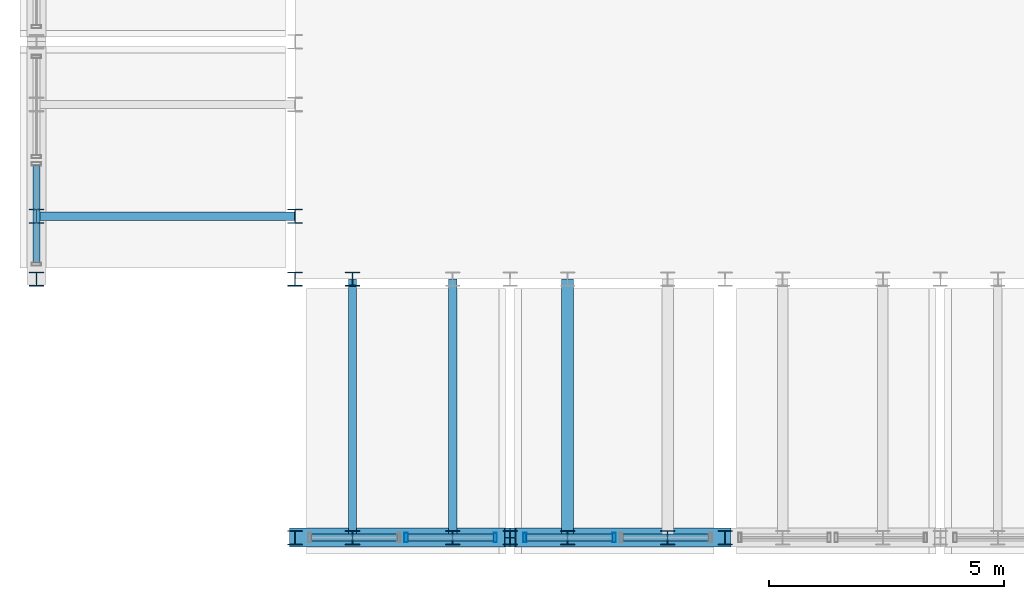
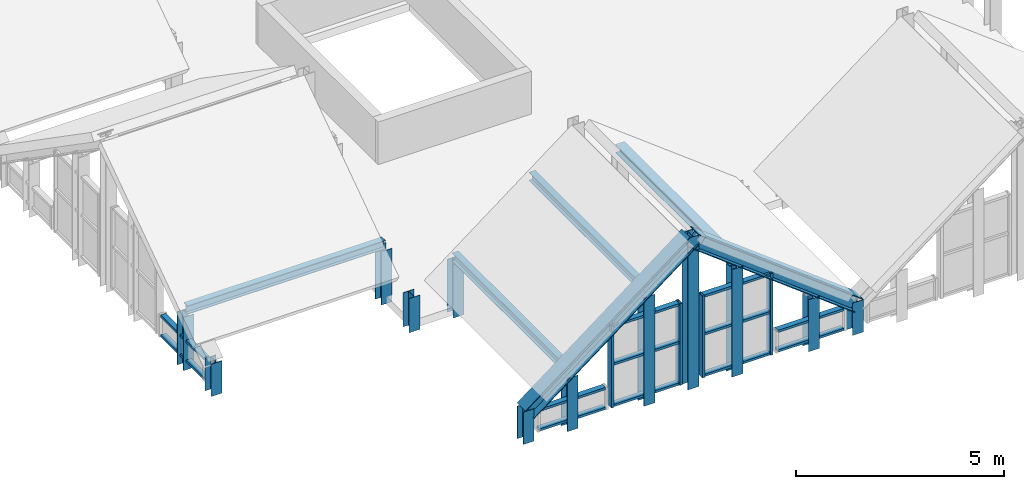
# One storey, part 1 of 21: 34 members, 5 elements without a shape of their own.
"""IFC4 building model written with IfcOpenShell, lengths in metres."""

from ifc_helpers import new_model, si_unit, direction, frame, origin, origin_2d, place, context, subcontext, project, spatial, hollow_rectangle, i_section, extrude, source, transform, mapped, material, layer, layer_set, material_profile, profile_set, type_object, element, aggregate, save


model = new_model("IFC4")

# Units and contexts
model_context = context("Model", 3, precision=1e-05, world=origin(), true_north=direction((0.0, 1.0)))
body_context = subcontext(model_context, "Body", "Model", "MODEL_VIEW")
ifc_project = project(units=[si_unit("LENGTHUNIT", "METRE"), si_unit("AREAUNIT", "SQUARE_METRE"), si_unit("VOLUMEUNIT", "CUBIC_METRE"), si_unit("PLANEANGLEUNIT", "RADIAN"), si_unit("MASSUNIT", "GRAM", prefix="KILO")], contexts=[model_context])

# Site, building, storey
site_placement = place(None, origin())
site = spatial("IfcSite", under=ifc_project, at=site_placement, CompositionType="ELEMENT")
building_placement = place(site_placement, origin())
building = spatial("IfcBuilding", under=site, at=building_placement, Name="Saelheon Loggia Tower", CompositionType="ELEMENT")
storey_placement = place(building_placement, frame((0.0, 0.0, 275.0)))
storey = spatial("IfcBuildingStorey", under=building, at=storey_placement, Name="ROOF", CompositionType="ELEMENT", Elevation=275.0)

# Members
ifc_material_1 = material(Name="Steel SM355", Category="steel")
ifc_material_profile_1 = material_profile(ifc_material_1, i_section(OverallWidth=0.300048828125, OverallDepth=0.300048828125, WebThickness=0.010009765625, FlangeThickness=0.014892578125, at=origin_2d()), Name="H-300x300x10x15")
ifc_profile_set_1 = profile_set([ifc_material_profile_1], Name="Steel SM355")
member_type_1 = type_object("IfcMemberType", Name="WaveCrest_Post_H300", PredefinedType="POST", material=ifc_profile_set_1)
shared_shape_1 = source(origin(), body_context, "Body", "SweptSolid", [
    extrude(i_section(OverallWidth=0.300048828125, OverallDepth=0.300048828125, WebThickness=0.010009765625, FlangeThickness=0.014892578125, at=origin_2d()), origin(), (0.0, 0.0, 1.0), 0.949951171875),
])
for number, where, z_axis, x_axis, name in (
    (1, (23.35009765625, 11.85009765625, -0.14990234375), (0.0, 0.0, 1.0), (1.0, 0.0, 0.0), "ROOF Wave Crest Outer Post W 00"),
    (2, (28.85009765625, 6.35009765625, -0.14990234375), (0.0, 0.0, 1.0), (1.0, 0.0, 0.0), "ROOF Wave Crest Outer Post S 00"),
    (3, (38.0, 6.35009765625, -0.14990234375), (0.0, 0.0, 1.0), (1.0, 0.0, 0.0), "ROOF Wave Crest Outer Post S 02"),
):
    element("IfcMember", number, at=place(storey_placement, frame(where, z_axis=z_axis, x_axis=x_axis)), inside=storey, type_object=member_type_1, Name=name, PredefinedType="POST", context=body_context, shape_type="MappedRepresentation", body=[
        mapped(shared_shape_1, transform((0.0, 0.0, 0.0), scale=1.0)),
    ])
ifc_material_profile_2 = material_profile(ifc_material_1, i_section(OverallWidth=0.300048828125, OverallDepth=0.300048828125, WebThickness=0.010009765625, FlangeThickness=0.014892578125, at=origin_2d()), Name="H-300x300x10x15")
ifc_profile_set_2 = profile_set([ifc_material_profile_2], Name="Steel SM355")
member_type_2 = type_object("IfcMemberType", Name="Belt_Post_H300", PredefinedType="POST", material=ifc_profile_set_2)
shared_shape_2 = source(origin(), body_context, "Body", "SweptSolid", [
    extrude(i_section(OverallWidth=0.300048828125, OverallDepth=0.300048828125, WebThickness=0.010009765625, FlangeThickness=0.014892578125, at=origin_2d()), origin(), (0.0, 0.0, 1.0), 1.0),
])
member_1_placement = place(storey_placement, frame((28.85009765625, 11.85009765625, -0.199951171875), z_axis=(0.0, 0.0, 1.0), x_axis=(1.0, 0.0, 0.0)))
element("IfcMember", 4, at=member_1_placement, inside=storey, type_object=member_type_2, Name="ROOF Wave Crest Inner Post W 00", PredefinedType="POST", context=body_context, shape_type="MappedRepresentation", body=[
    mapped(shared_shape_2, transform((0.0, 0.0, 0.0), scale=1.0)),
])
shared_shape_3 = source(origin(), body_context, "Body", "SweptSolid", [
    extrude(i_section(OverallWidth=0.300048828125, OverallDepth=0.300048828125, WebThickness=0.010009765625, FlangeThickness=0.014892578125, at=origin_2d()), origin(), (0.0, 0.0, 1.0), 4.449951171875),
])
member_2_placement = place(storey_placement, frame((33.425048828125, 6.35009765625, -0.14990234375), z_axis=(0.0, 0.0, 1.0), x_axis=(1.0, 0.0, 0.0)))
element("IfcMember", 5, at=member_2_placement, inside=storey, type_object=member_type_1, Name="ROOF Wave Crest Outer Post S 01", PredefinedType="POST", context=body_context, shape_type="MappedRepresentation", body=[
    mapped(shared_shape_3, transform((0.0, 0.0, 0.0), scale=1.0)),
])
ifc_material_profile_3 = material_profile(ifc_material_1, i_section(OverallWidth=0.179931640625, OverallDepth=0.25, WebThickness=0.010009765625, FlangeThickness=0.01611328125, at=origin_2d()), Name="H-250x180x10x16")
ifc_profile_set_3 = profile_set([ifc_material_profile_3], Name="Steel SM355")
member_type_3 = type_object("IfcMemberType", Name="Roof_Purlin_RHS250", PredefinedType="PURLIN", material=ifc_profile_set_3)
shared_shape_4 = source(origin(), body_context, "Body", "SweptSolid", [
    extrude(i_section(OverallWidth=0.179931640625, OverallDepth=0.25, WebThickness=0.010009765625, FlangeThickness=0.01611328125, at=origin_2d()), origin(), (0.0, 0.0, 1.0), 5.5),
])
for number, where, z_axis, x_axis, name in (
    (6, (23.35009765625, 13.186767578125, 1.489013671875), (1.0, 0.0, 0.0), (0.0, 1.0, 0.0), "Crown Wave Roof Purlin 01 A"),
    (7, (30.07275390625, 6.35009765625, 1.4814453125), (0.0, 1.0, 0.0), (-1.0, 0.0, 0.0), "Crown Wave Roof Purlin 13 A"),
    (8, (32.2021484375, 6.35009765625, 3.110595703125), (0.0, 1.0, 0.0), (-1.0, 0.0, 0.0), "Crown Wave Roof Purlin 13 B"),
):
    element("IfcMember", number, at=place(storey_placement, frame(where, z_axis=z_axis, x_axis=x_axis)), inside=storey, type_object=member_type_3, Name=name, PredefinedType="PURLIN", context=body_context, shape_type="MappedRepresentation", body=[
        mapped(shared_shape_4, transform((0.0, 0.0, 0.0), scale=1.0)),
    ])
shared_shape_5 = source(origin(), body_context, "Body", "SweptSolid", [
    extrude(i_section(OverallWidth=0.300048828125, OverallDepth=0.300048828125, WebThickness=0.010009765625, FlangeThickness=0.014892578125, at=origin_2d()), origin(), (0.0, 0.0, 1.0), 1.56396484375),
])
for number, where, z_axis, x_axis, name in (
    (9, (23.35009765625, 13.186767578125, -0.199951171875), (0.0, 0.0, 1.0), (1.0, 0.0, 0.0), "Crown Wave Roof Purlin Support Post 01 A O"),
    (10, (28.85009765625, 13.186767578125, -0.199951171875), (0.0, 0.0, 1.0), (1.0, 0.0, 0.0), "Crown Wave Roof Purlin Support Post 01 A I"),
):
    element("IfcMember", number, at=place(storey_placement, frame(where, z_axis=z_axis, x_axis=x_axis)), inside=storey, type_object=member_type_2, Name=name, PredefinedType="POST", context=body_context, shape_type="MappedRepresentation", body=[
        mapped(shared_shape_5, transform((0.0, 0.0, 0.0), scale=1.0)),
    ])
ifc_material_profile_4 = material_profile(ifc_material_1, i_section(OverallWidth=0.25, OverallDepth=0.25, WebThickness=0.009033203125, FlangeThickness=0.013916015625, at=origin_2d()), Name="H-250x250x9x14")
ifc_profile_set_4 = profile_set([ifc_material_profile_4], Name="Steel SM355")
member_type_4 = type_object("IfcMemberType", Name="Roof_Purlin_H250", PredefinedType="PURLIN", material=ifc_profile_set_4)
shared_shape_6 = source(origin(), body_context, "Body", "SweptSolid", [
    extrude(i_section(OverallWidth=0.25, OverallDepth=0.25, WebThickness=0.009033203125, FlangeThickness=0.013916015625, at=origin_2d()), origin(), (0.0, 0.0, 1.0), 5.5),
])
member_3_placement = place(storey_placement, frame((34.647705078125, 6.35009765625, 3.083740234375), z_axis=(0.0, 1.0, 0.0), x_axis=(-1.0, 0.0, 0.0)))
element("IfcMember", 11, at=member_3_placement, inside=storey, type_object=member_type_4, Name="Crown Wave Roof Purlin 14 A", PredefinedType="PURLIN", context=body_context, shape_type="MappedRepresentation", body=[
    mapped(shared_shape_6, transform((0.0, 0.0, 0.0), scale=1.0)),
])
shared_shape_7 = source(origin(), body_context, "Body", "SweptSolid", [
    extrude(i_section(OverallWidth=0.300048828125, OverallDepth=0.300048828125, WebThickness=0.010009765625, FlangeThickness=0.014892578125, at=origin_2d()), origin(), (0.0, 0.0, 1.0), 1.556396484375),
])
for number, where, z_axis, x_axis, name in (
    (12, (30.07275390625, 6.35009765625, -0.199951171875), (0.0, 0.0, 1.0), (1.0, 0.0, 0.0), "Crown Wave Roof Purlin Support Post 13 A O"),
    (13, (30.07275390625, 11.85009765625, -0.199951171875), (0.0, 0.0, 1.0), (1.0, 0.0, 0.0), "Crown Wave Roof Purlin Support Post 13 A I"),
):
    element("IfcMember", number, at=place(storey_placement, frame(where, z_axis=z_axis, x_axis=x_axis)), inside=storey, type_object=member_type_2, Name=name, PredefinedType="POST", context=body_context, shape_type="MappedRepresentation", body=[
        mapped(shared_shape_7, transform((0.0, 0.0, 0.0), scale=1.0)),
    ])
shared_shape_8 = source(origin(), body_context, "Body", "SweptSolid", [
    extrude(i_section(OverallWidth=0.300048828125, OverallDepth=0.300048828125, WebThickness=0.010009765625, FlangeThickness=0.014892578125, at=origin_2d()), origin(), (0.0, 0.0, 1.0), 3.185546875),
])
member_4_placement = place(storey_placement, frame((32.2021484375, 6.35009765625, -0.199951171875), z_axis=(0.0, 0.0, 1.0), x_axis=(1.0, 0.0, 0.0)))
element("IfcMember", 14, at=member_4_placement, inside=storey, type_object=member_type_2, Name="Crown Wave Roof Purlin Support Post 13 B O", PredefinedType="POST", context=body_context, shape_type="MappedRepresentation", body=[
    mapped(shared_shape_8, transform((0.0, 0.0, 0.0), scale=1.0)),
])
shared_shape_9 = source(origin(), body_context, "Body", "SweptSolid", [
    extrude(i_section(OverallWidth=0.300048828125, OverallDepth=0.300048828125, WebThickness=0.010009765625, FlangeThickness=0.014892578125, at=origin_2d()), origin(), (0.0, 0.0, 1.0), 3.15869140625),
])
member_5_placement = place(storey_placement, frame((34.647705078125, 6.35009765625, -0.199951171875), z_axis=(0.0, 0.0, 1.0), x_axis=(1.0, 0.0, 0.0)))
element("IfcMember", 15, at=member_5_placement, inside=storey, type_object=member_type_2, Name="Crown Wave Roof Purlin Support Post 14 A O", PredefinedType="POST", context=body_context, shape_type="MappedRepresentation", body=[
    mapped(shared_shape_9, transform((0.0, 0.0, 0.0), scale=1.0)),
])
shared_shape_10 = source(origin(), body_context, "Body", "SweptSolid", [
    extrude(i_section(OverallWidth=0.300048828125, OverallDepth=0.300048828125, WebThickness=0.010009765625, FlangeThickness=0.014892578125, at=origin_2d()), origin(), (0.0, 0.0, 1.0), 1.529541015625),
])
member_6_placement = place(storey_placement, frame((36.777099609375, 6.35009765625, -0.199951171875), z_axis=(0.0, 0.0, 1.0), x_axis=(1.0, 0.0, 0.0)))
element("IfcMember", 16, at=member_6_placement, inside=storey, type_object=member_type_2, Name="Crown Wave Roof Purlin Support Post 14 B O", PredefinedType="POST", context=body_context, shape_type="MappedRepresentation", body=[
    mapped(shared_shape_10, transform((0.0, 0.0, 0.0), scale=1.0)),
])
ifc_material_profile_5 = material_profile(ifc_material_1, i_section(OverallWidth=0.39990234375, OverallDepth=0.39990234375, WebThickness=0.012939453125, FlangeThickness=0.02099609375, at=origin_2d()), Name="H-400x400x13x21")
ifc_profile_set_5 = profile_set([ifc_material_profile_5], Name="Steel SM355")
member_type_5 = type_object("IfcMemberType", Name="CrownFrame_Brace_H400", PredefinedType="BRACE", material=ifc_profile_set_5)
shared_shape_11 = source(origin(), body_context, "Body", "SweptSolid", [
    extrude(i_section(OverallWidth=0.39990234375, OverallDepth=0.39990234375, WebThickness=0.012939453125, FlangeThickness=0.02099609375, at=origin_2d()), origin(), (0.0, 0.0, 1.0), 5.76025390625),
])
for number, where, z_axis, x_axis, name in (
    (17, (28.85009765625, 6.35009765625, 0.699951171875), (0.794231497038, 0.0, 0.607615280513), (0.0, 1.0, 0.0), "ROOF CROWN FRAME Wave Crest Cap S 01"),
    (18, (33.425048828125, 6.35009765625, 4.199951171875), (0.794231497038, 0.0, -0.607615280513), (0.0, 1.0, 0.0), "ROOF CROWN FRAME Wave Crest Cap S 02"),
):
    element("IfcMember", number, at=place(storey_placement, frame(where, z_axis=z_axis, x_axis=x_axis)), inside=storey, type_object=member_type_5, Name=name, PredefinedType="BRACE", context=body_context, shape_type="MappedRepresentation", body=[
        mapped(shared_shape_11, transform((0.0, 0.0, 0.0), scale=1.0)),
    ])

# Curtain wall, members
ifc_material_2 = material(Name="Bronze-Anodised Aluminium and Fritted Ceramic Screen", Category="aluminium")
ifc_layer = layer(ifc_material_2, 0.219970703125)
ifc_layer_set = layer_set([ifc_layer], Name="Bronze-Anodised Aluminium and Fritted Ceramic Screen")
curtain_wall_type = type_object("IfcCurtainWallType", Name="CW_CrownScreen", PredefinedType="NOTDEFINED", material=ifc_layer_set)
curtain_wall_1_placement = place(storey_placement, origin())
curtain_wall_1 = element("IfcCurtainWall", 19, at=curtain_wall_1_placement, inside=storey, type_object=curtain_wall_type, Name="ROOF Wave Crest Curtain Wall W 01-1", PredefinedType="NOTDEFINED")
ifc_material_3 = material(Name="Bronze-Anodised Aluminium 6063-T6", Category="aluminium")
ifc_material_profile_6 = material_profile(ifc_material_3, hollow_rectangle(XDim=0.070068359375, YDim=0.14990234375, WallThickness=0.0048828125, at=origin_2d()), Name="RHS-150x70x5")
ifc_profile_set_6 = profile_set([ifc_material_profile_6], Name="Bronze-Anodised Aluminium 6063-T6")
member_type_6 = type_object("IfcMemberType", Name="CW_CrownScreen_Transom", PredefinedType="USERDEFINED", material=ifc_profile_set_6)
shared_shape_12 = source(origin(), body_context, "Body", "SweptSolid", [
    extrude(hollow_rectangle(XDim=0.070068359375, YDim=0.14990234375, WallThickness=0.0048828125, at=origin_2d()), origin(), (0.0, 0.0, 1.0), 2.06494140625),
])
member_7_placement = place(storey_placement, frame((23.35009765625, 12.199951171875, 0.054931640625), z_axis=(0.0, 1.0, 0.0), x_axis=(0.0, 0.0, 1.0)))
member_7 = element("IfcMember", 20, at=member_7_placement, type_object=member_type_6, Name="CW6 transom 1.1", ObjectType="TRANSOM", PredefinedType="USERDEFINED", context=body_context, shape_type="MappedRepresentation", body=[
    mapped(shared_shape_12, transform((0.0, 0.0, 0.0), scale=1.0)),
])
member_8_placement = place(storey_placement, frame((23.35009765625, 12.199951171875, 0.635009765625), z_axis=(0.0, 1.0, 0.0), x_axis=(0.0, 0.0, 1.0)))
member_8 = element("IfcMember", 21, at=member_8_placement, type_object=member_type_6, Name="CW6 transom 1.2", ObjectType="TRANSOM", PredefinedType="USERDEFINED", context=body_context, shape_type="MappedRepresentation", body=[
    mapped(shared_shape_12, transform((0.0, 0.0, 0.0), scale=1.0)),
])
aggregate(curtain_wall_1, [member_7, member_8])

curtain_wall_2_placement = place(storey_placement, origin())
curtain_wall_2 = element("IfcCurtainWall", 22, at=curtain_wall_2_placement, inside=storey, type_object=curtain_wall_type, Name="ROOF Wave Crest Curtain Wall S 01-2", PredefinedType="NOTDEFINED")
ifc_material_profile_7 = material_profile(ifc_material_3, hollow_rectangle(XDim=0.070068359375, YDim=0.199951171875, WallThickness=0.0048828125, at=origin_2d()), Name="RHS-200x70x5")
ifc_profile_set_7 = profile_set([ifc_material_profile_7], Name="Bronze-Anodised Aluminium 6063-T6")
member_type_7 = type_object("IfcMemberType", Name="CW_CrownScreen_Mullion", PredefinedType="MULLION", material=ifc_profile_set_7)
shared_shape_13 = source(origin(), body_context, "Body", "SweptSolid", [
    extrude(hollow_rectangle(XDim=0.070068359375, YDim=0.199951171875, WallThickness=0.0048828125, at=origin_2d()), origin(), (0.0, 0.0, 1.0), 2.39990234375),
])
member_9_placement = place(storey_placement, frame((31.21240234375, 6.35009765625, 0.02001953125), z_axis=(0.0, 0.0, 1.0), x_axis=(1.0, 0.0, 0.0)))
member_9 = element("IfcMember", 23, at=member_9_placement, type_object=member_type_7, Name="CW6 mullion 1", PredefinedType="MULLION", context=body_context, shape_type="MappedRepresentation", body=[
    mapped(shared_shape_13, transform((0.0, 0.0, 0.0), scale=1.0)),
])
member_10_placement = place(storey_placement, frame((33.110107421875, 6.35009765625, 0.02001953125), z_axis=(0.0, 0.0, 1.0), x_axis=(1.0, 0.0, 0.0)))
member_10 = element("IfcMember", 24, at=member_10_placement, type_object=member_type_7, Name="CW6 mullion 2", PredefinedType="MULLION", context=body_context, shape_type="MappedRepresentation", body=[
    mapped(shared_shape_13, transform((0.0, 0.0, 0.0), scale=1.0)),
])

curtain_wall_3_placement = place(storey_placement, origin())
curtain_wall_3 = element("IfcCurtainWall", 25, at=curtain_wall_3_placement, inside=storey, type_object=curtain_wall_type, Name="ROOF Wave Crest Curtain Wall S 02-1", PredefinedType="NOTDEFINED")
member_11_placement = place(storey_placement, frame((33.739990234375, 6.35009765625, 0.02001953125), z_axis=(0.0, 0.0, 1.0), x_axis=(1.0, 0.0, 0.0)))
member_11 = element("IfcMember", 26, at=member_11_placement, type_object=member_type_7, Name="CW6 mullion 1", PredefinedType="MULLION", context=body_context, shape_type="MappedRepresentation", body=[
    mapped(shared_shape_13, transform((0.0, 0.0, 0.0), scale=1.0)),
])
member_12_placement = place(storey_placement, frame((35.637451171875, 6.35009765625, 0.02001953125), z_axis=(0.0, 0.0, 1.0), x_axis=(1.0, 0.0, 0.0)))
member_12 = element("IfcMember", 27, at=member_12_placement, type_object=member_type_7, Name="CW6 mullion 2", PredefinedType="MULLION", context=body_context, shape_type="MappedRepresentation", body=[
    mapped(shared_shape_13, transform((0.0, 0.0, 0.0), scale=1.0)),
])

curtain_wall_4_placement = place(storey_placement, origin())
curtain_wall_4 = element("IfcCurtainWall", 28, at=curtain_wall_4_placement, inside=storey, type_object=curtain_wall_type, Name="ROOF Wave Crest Curtain Wall S 01-1", PredefinedType="NOTDEFINED")
shared_shape_14 = source(origin(), body_context, "Body", "SweptSolid", [
    extrude(hollow_rectangle(XDim=0.070068359375, YDim=0.14990234375, WallThickness=0.0048828125, at=origin_2d()), origin(), (0.0, 0.0, 1.0), 1.82763671875),
])
member_13_placement = place(storey_placement, frame((29.199951171875, 6.35009765625, 0.054931640625), z_axis=(1.0, 0.0, 0.0), x_axis=(0.0, 0.0, 1.0)))
member_13 = element("IfcMember", 29, at=member_13_placement, type_object=member_type_6, Name="CW6 transom 1.1", ObjectType="TRANSOM", PredefinedType="USERDEFINED", context=body_context, shape_type="MappedRepresentation", body=[
    mapped(shared_shape_14, transform((0.0, 0.0, 0.0), scale=1.0)),
])
member_14_placement = place(storey_placement, frame((29.199951171875, 6.35009765625, 0.635009765625), z_axis=(1.0, 0.0, 0.0), x_axis=(0.0, 0.0, 1.0)))
member_14 = element("IfcMember", 30, at=member_14_placement, type_object=member_type_6, Name="CW6 transom 1.2", ObjectType="TRANSOM", PredefinedType="USERDEFINED", context=body_context, shape_type="MappedRepresentation", body=[
    mapped(shared_shape_14, transform((0.0, 0.0, 0.0), scale=1.0)),
])
aggregate(curtain_wall_4, [member_13, member_14])

# Member
member_15_placement = place(storey_placement, frame((33.77490234375, 6.35009765625, 0.054931640625), z_axis=(1.0, 0.0, 0.0), x_axis=(0.0, 0.0, 1.0)))
member_15 = element("IfcMember", 31, at=member_15_placement, type_object=member_type_6, Name="CW6 transom 1.1", ObjectType="TRANSOM", PredefinedType="USERDEFINED", context=body_context, shape_type="MappedRepresentation", body=[
    mapped(shared_shape_14, transform((0.0, 0.0, 0.0), scale=1.0)),
])

member_16_placement = place(storey_placement, frame((33.77490234375, 6.35009765625, 1.27001953125), z_axis=(1.0, 0.0, 0.0), x_axis=(0.0, 0.0, 1.0)))
member_16 = element("IfcMember", 32, at=member_16_placement, type_object=member_type_6, Name="CW6 transom 1.2", ObjectType="TRANSOM", PredefinedType="USERDEFINED", context=body_context, shape_type="MappedRepresentation", body=[
    mapped(shared_shape_14, transform((0.0, 0.0, 0.0), scale=1.0)),
])

member_17_placement = place(storey_placement, frame((33.77490234375, 6.35009765625, 2.385009765625), z_axis=(1.0, 0.0, 0.0), x_axis=(0.0, 0.0, 1.0)))
member_17 = element("IfcMember", 33, at=member_17_placement, type_object=member_type_6, Name="CW6 transom 1.3", ObjectType="TRANSOM", PredefinedType="USERDEFINED", context=body_context, shape_type="MappedRepresentation", body=[
    mapped(shared_shape_14, transform((0.0, 0.0, 0.0), scale=1.0)),
])

aggregate(curtain_wall_3, [member_11, member_12, member_15, member_16, member_17])

shared_shape_15 = source(origin(), body_context, "Body", "SweptSolid", [
    extrude(hollow_rectangle(XDim=0.070068359375, YDim=0.14990234375, WallThickness=0.0048828125, at=origin_2d()), origin(), (0.0, 0.0, 1.0), 1.827392578125),
])
member_18_placement = place(storey_placement, frame((31.24755859375, 6.35009765625, 0.054931640625), z_axis=(1.0, 0.0, 0.0), x_axis=(0.0, 0.0, 1.0)))
member_18 = element("IfcMember", 34, at=member_18_placement, type_object=member_type_6, Name="CW6 transom 1.1", ObjectType="TRANSOM", PredefinedType="USERDEFINED", context=body_context, shape_type="MappedRepresentation", body=[
    mapped(shared_shape_15, transform((0.0, 0.0, 0.0), scale=1.0)),
])

member_19_placement = place(storey_placement, frame((31.24755859375, 6.35009765625, 1.27001953125), z_axis=(1.0, 0.0, 0.0), x_axis=(0.0, 0.0, 1.0)))
member_19 = element("IfcMember", 35, at=member_19_placement, type_object=member_type_6, Name="CW6 transom 1.2", ObjectType="TRANSOM", PredefinedType="USERDEFINED", context=body_context, shape_type="MappedRepresentation", body=[
    mapped(shared_shape_15, transform((0.0, 0.0, 0.0), scale=1.0)),
])

member_20_placement = place(storey_placement, frame((31.24755859375, 6.35009765625, 2.385009765625), z_axis=(1.0, 0.0, 0.0), x_axis=(0.0, 0.0, 1.0)))
member_20 = element("IfcMember", 36, at=member_20_placement, type_object=member_type_6, Name="CW6 transom 1.3", ObjectType="TRANSOM", PredefinedType="USERDEFINED", context=body_context, shape_type="MappedRepresentation", body=[
    mapped(shared_shape_15, transform((0.0, 0.0, 0.0), scale=1.0)),
])

aggregate(curtain_wall_2, [member_9, member_10, member_18, member_19, member_20])

# Curtain wall, members
curtain_wall_5_placement = place(storey_placement, origin())
curtain_wall_5 = element("IfcCurtainWall", 37, at=curtain_wall_5_placement, inside=storey, type_object=curtain_wall_type, Name="ROOF Wave Crest Curtain Wall S 02-2", PredefinedType="NOTDEFINED")
member_21_placement = place(storey_placement, frame((35.822509765625, 6.35009765625, 0.054931640625), z_axis=(1.0, 0.0, 0.0), x_axis=(0.0, 0.0, 1.0)))
member_21 = element("IfcMember", 38, at=member_21_placement, type_object=member_type_6, Name="CW6 transom 1.1", ObjectType="TRANSOM", PredefinedType="USERDEFINED", context=body_context, shape_type="MappedRepresentation", body=[
    mapped(shared_shape_15, transform((0.0, 0.0, 0.0), scale=1.0)),
])
member_22_placement = place(storey_placement, frame((35.822509765625, 6.35009765625, 0.635009765625), z_axis=(1.0, 0.0, 0.0), x_axis=(0.0, 0.0, 1.0)))
member_22 = element("IfcMember", 39, at=member_22_placement, type_object=member_type_6, Name="CW6 transom 1.2", ObjectType="TRANSOM", PredefinedType="USERDEFINED", context=body_context, shape_type="MappedRepresentation", body=[
    mapped(shared_shape_15, transform((0.0, 0.0, 0.0), scale=1.0)),
])
aggregate(curtain_wall_5, [member_21, member_22])

save(model, "model.ifc")
